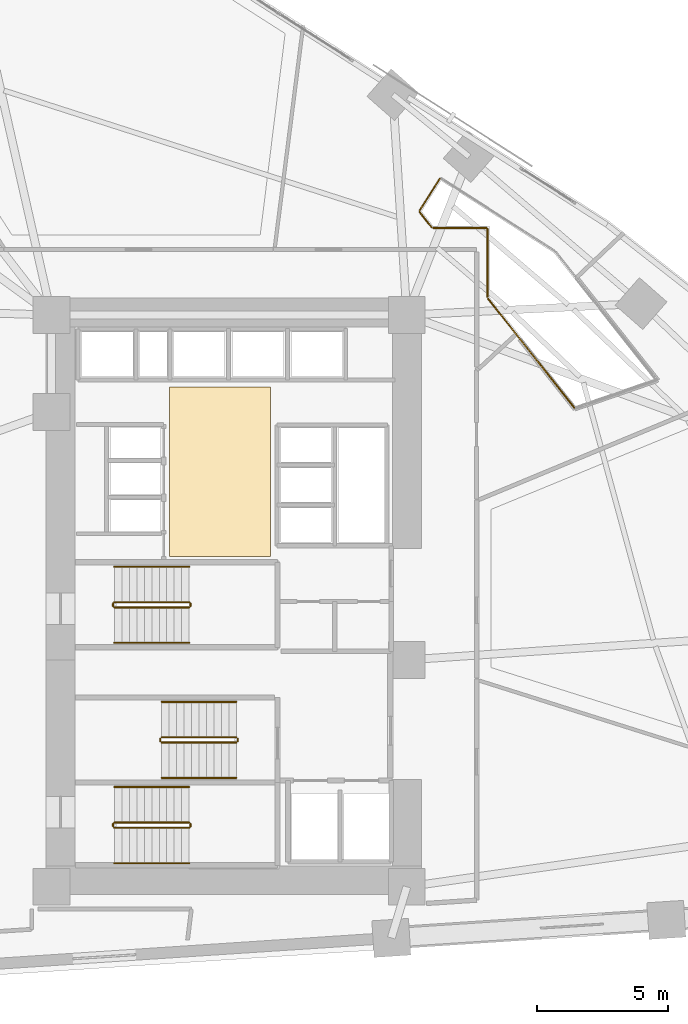
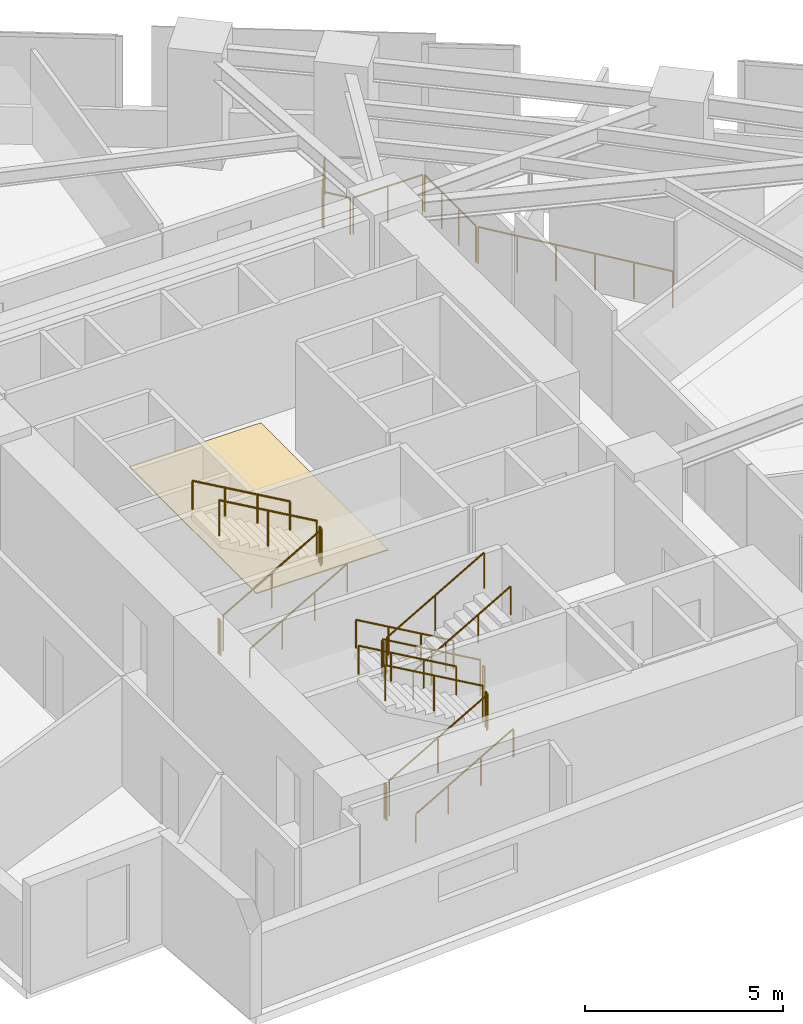
# One storey, part 15 of 16: 23 railings, 1 covering.
"""IFC4 building model written with IfcOpenShell, lengths in metres."""

import ifcopenshell
import ifcopenshell.guid

model = None  # the IFC model being written
_history = None  # IfcOwnerHistory: only IFC2X3 demands one
_inside = {}  # id of a spatial element -> (the spatial element, [elements in it])
_under = {}  # id of a project, library or spatial element -> (it, [spatial elements below it])
_declared = {}  # id of a project -> (the project, [libraries it declares])
_typed = {}  # id of a type object -> (the type object, [elements of that type])
_made_of = {}  # id of a material, layer set ... -> (it, [elements and type objects made of it])


def new_model(schema):
    """Start an empty IFC model of exactly this schema.

    Asked for "IFC4X3", IfcOpenShell would pick the latest addendum, in which some entities
    have other attributes; the version numbers below select the first issue.
    IFC2X3 requires an IfcOwnerHistory on every rooted entity: one is made here for all.
    """
    global model, _history
    if schema == "IFC4X3":
        model = ifcopenshell.file(schema_version=(4, 3, 0, 0))
    else:
        model = ifcopenshell.file(schema=schema)
    _inside.clear()
    _under.clear()
    _declared.clear()
    _typed.clear()
    _made_of.clear()
    _history = None
    if model.schema == "IFC2X3":
        org = make("IfcOrganization", Name="unknown")
        user = make(
            "IfcPersonAndOrganization",
            ThePerson=make("IfcPerson", FamilyName="unknown"),
            TheOrganization=org,
        )
        app = make(
            "IfcApplication",
            ApplicationDeveloper=org,
            Version="unknown",
            ApplicationFullName="unknown",
            ApplicationIdentifier="unknown",
        )
        _history = make(
            "IfcOwnerHistory",
            OwningUser=user,
            OwningApplication=app,
            ChangeAction="ADDED",
            CreationDate=0,
        )
    return model


def make(cls, **values):
    """One entity of the class cls with the attributes given. An attribute that is None is left unset."""
    return model.create_entity(
        cls, **{name: value for name, value in values.items() if value is not None}
    )


def rooted(cls, **values):
    """An entity with a GlobalId (a new one), such as an element, a storey or a relation."""
    return make(cls, GlobalId=ifcopenshell.guid.new(), OwnerHistory=_history, **values)


def si_unit(unit_type, name, prefix=None):
    """IfcSIUnit, for example si_unit("LENGTHUNIT", "METRE", prefix="MILLI")."""
    return make("IfcSIUnit", UnitType=unit_type, Prefix=prefix, Name=name)


def assignment(units):
    """IfcUnitAssignment: the units of a project."""
    return None if units is None else make("IfcUnitAssignment", Units=units)


def point(xyz):
    """IfcCartesianPoint."""
    return None if xyz is None else make("IfcCartesianPoint", Coordinates=xyz)


def direction(xyz):
    """IfcDirection."""
    return None if xyz is None else make("IfcDirection", DirectionRatios=xyz)


def frame(location, z_axis=None, x_axis=None):
    """IfcAxis2Placement3D, a coordinate frame: its origin and axes. An axis left out is left unset."""
    return make(
        "IfcAxis2Placement3D",
        Location=point(location),
        Axis=direction(z_axis),
        RefDirection=direction(x_axis),
    )


def frame_2d(location, x_axis=None):
    """IfcAxis2Placement2D, a coordinate frame in the plane: its origin and x axis."""
    return make(
        "IfcAxis2Placement2D", Location=point(location), RefDirection=direction(x_axis)
    )


def origin():
    """The frame at (0, 0, 0) with its axes left unset."""
    return frame((0.0, 0.0, 0.0))


def origin_2d():
    """The frame at (0, 0) in the plane with its x axis left unset."""
    return frame_2d((0.0, 0.0))


def place(relative_to, where):
    """IfcLocalPlacement: puts the frame where relative to a parent placement (None: the world)."""
    return make(
        "IfcLocalPlacement", PlacementRelTo=relative_to, RelativePlacement=where
    )


def context(
    kind, dimensions, precision=None, world=None, true_north=None, identifier=None
):
    """IfcGeometricRepresentationContext, for example the 3D "Model" context."""
    return make(
        "IfcGeometricRepresentationContext",
        ContextIdentifier=identifier,
        ContextType=kind,
        CoordinateSpaceDimension=dimensions,
        Precision=precision,
        WorldCoordinateSystem=world,
        TrueNorth=true_north,
    )


def subcontext(parent, identifier, kind, view, scale=None):
    """IfcGeometricRepresentationSubContext, for example "Body" below "Model"."""
    return make(
        "IfcGeometricRepresentationSubContext",
        ContextIdentifier=identifier,
        ContextType=kind,
        ParentContext=parent,
        TargetScale=scale,
        TargetView=view,
    )


def project(units=None, contexts=None):
    """IfcProject with its units and contexts."""
    return rooted(
        "IfcProject",
        Name="project",
        RepresentationContexts=contexts,
        UnitsInContext=assignment(units),
    )


def spatial(cls, under=None, at=None, **own):
    """A site, building, storey or space (cls), placed at a placement, below another one or the project."""
    s = rooted(cls, ObjectPlacement=at, **own)
    if under is not None:
        _under.setdefault(under.id(), (under, []))[1].append(s)
    return s


def polyline(points):
    """IfcPolyline through the points."""
    return make("IfcPolyline", Points=[point(p) for p in points])


def profile(cls, at=None, kind="AREA", **sizes):
    """A parametric profile (cls). Its sizes go by their IFC names, for example OverallWidth=200.0."""
    return make(cls, ProfileType=kind, Position=at, **sizes)


def circle(**sizes):
    """IfcCircleProfileDef."""
    return profile("IfcCircleProfileDef", **sizes)


def outline(outer, holes=None, kind="AREA"):
    """IfcArbitraryClosedProfileDef: a profile drawn as a closed curve; with holes, ...WithVoids."""
    if holes is None:
        return make("IfcArbitraryClosedProfileDef", ProfileType=kind, OuterCurve=outer)
    return make(
        "IfcArbitraryProfileDefWithVoids",
        ProfileType=kind,
        OuterCurve=outer,
        InnerCurves=holes,
    )


def extrude(swept, where, along, depth):
    """IfcExtrudedAreaSolid: the profile swept, set in the frame where, extruded along a direction by depth."""
    return make(
        "IfcExtrudedAreaSolid",
        SweptArea=swept,
        Position=where,
        ExtrudedDirection=direction(along),
        Depth=depth,
    )


def shape(context_of_items, identifier, shape_type, items):
    """IfcShapeRepresentation: the items that make up one representation, for example the "Body"."""
    return make(
        "IfcShapeRepresentation",
        ContextOfItems=context_of_items,
        RepresentationIdentifier=identifier,
        RepresentationType=shape_type,
        Items=items,
    )


def material(Name=None, Category=None):
    """IfcMaterial."""
    return make("IfcMaterial", Name=Name, Category=Category)


def layer(
    of_material, thickness, ventilated=None, Name=None, Category=None, Priority=None
):
    """IfcMaterialLayer: one layer of a wall or slab, of a material (None: an air gap)."""
    return make(
        "IfcMaterialLayer",
        Material=of_material,
        LayerThickness=thickness,
        IsVentilated=ventilated,
        Name=Name,
        Category=Category,
        Priority=Priority,
    )


def layer_set(layers, Name=None):
    """IfcMaterialLayerSet."""
    return make("IfcMaterialLayerSet", MaterialLayers=layers, LayerSetName=Name)


def made_of(thing, what):
    """Note that an element or type object is made of a material, layer set ...; save() writes the relation."""
    if what is not None:
        _made_of.setdefault(what.id(), (what, []))[1].append(thing)
    return thing


def type_object(cls, material=None, **own):
    """A type object (cls), such as IfcWallType, which elements share."""
    return made_of(rooted(cls, **own), material)


def element(
    cls,
    number,
    at=None,
    inside=None,
    cuts=None,
    type_object=None,
    material=None,
    context=None,
    identifier="Body",
    shape_type=None,
    held_by="IfcProductDefinitionShape",
    body=None,
    shapes=None,
    **own,
):
    """One element of the class cls, such as IfcWall. Its Tag is "e" and its number.

    at: its placement. inside: the storey or other place that contains it. cuts: it is an
    opening in that element (IfcRelVoidsElement). A single representation is given by context,
    identifier, shape_type and body (its items); several are given by shapes. held_by: the class
    of the entity that holds the representations. save() writes the other relations.
    """
    e = rooted(cls, Tag="e%d" % number, ObjectPlacement=at, **own)
    if body is not None:
        shapes = [shape(context, identifier, shape_type, body)]
    if shapes is not None:
        e.Representation = make(held_by, Representations=shapes)
    if inside is not None:
        _inside.setdefault(inside.id(), (inside, []))[1].append(e)
    if cuts is not None:
        rooted(
            "IfcRelVoidsElement", RelatingBuildingElement=cuts, RelatedOpeningElement=e
        )
    if type_object is not None:
        _typed.setdefault(type_object.id(), (type_object, []))[1].append(e)
    return made_of(e, material)


def aggregate(whole, parts):
    """IfcRelAggregates: a whole, such as a stair, and the parts it consists of."""
    return rooted("IfcRelAggregates", RelatingObject=whole, RelatedObjects=parts)


def save(model, path):
    """Write the relations noted so far, then the file.

    IfcRelAggregates (storeys below a building ...), IfcRelContainedInSpatialStructure (elements
    in a storey), IfcRelDefinesByType, IfcRelAssociatesMaterial and IfcRelDeclares: one each for
    every whole, place, type object, material and project.
    """
    for whole, parts in _under.values():
        aggregate(whole, parts)
    for where, things in _inside.values():
        rooted(
            "IfcRelContainedInSpatialStructure",
            RelatedElements=things,
            RelatingStructure=where,
        )
    for kind, things in _typed.values():
        rooted("IfcRelDefinesByType", RelatedObjects=things, RelatingType=kind)
    for what, things in _made_of.values():
        rooted("IfcRelAssociatesMaterial", RelatedObjects=things, RelatingMaterial=what)
    for by, libraries in _declared.values():
        rooted("IfcRelDeclares", RelatingContext=by, RelatedDefinitions=libraries)
    model.write(path)


model = new_model("IFC4")

# Units and contexts
model_context = context("Model", 3, precision=1e-05, world=origin(), true_north=direction((0.0, 1.0)))
body_context = subcontext(model_context, "Body", "Model", "MODEL_VIEW")
ifc_project = project(units=[si_unit("LENGTHUNIT", "METRE"), si_unit("AREAUNIT", "SQUARE_METRE"), si_unit("VOLUMEUNIT", "CUBIC_METRE"), si_unit("PLANEANGLEUNIT", "RADIAN"), si_unit("MASSUNIT", "GRAM", prefix="KILO")], contexts=[model_context])

# Site, building, storey
site_placement = place(None, origin())
site = spatial("IfcSite", under=ifc_project, at=site_placement, CompositionType="ELEMENT")
building_placement = place(site_placement, origin())
building = spatial("IfcBuilding", under=site, at=building_placement, Name="Narakoshi Arena Tower", CompositionType="ELEMENT")
storey_placement = place(building_placement, frame((0.0, 0.0, 77.699951171875)))
storey = spatial("IfcBuildingStorey", under=building, at=storey_placement, Name="L20", CompositionType="ELEMENT", Elevation=77.699951171875)

# Covering
ifc_material_1 = material(Name="Honed granite stone paving", Category="masonry")
ifc_layer = layer(ifc_material_1, 0.030029296875)
ifc_layer_set = layer_set([ifc_layer], Name="Honed granite stone paving")
covering_type = type_object("IfcCoveringType", Name="COV-FLR-ST30", PredefinedType="FLOORING", material=ifc_layer_set)
covering_placement = place(storey_placement, origin())
element("IfcCovering", 1, at=covering_placement, inside=storey, type_object=covering_type, Name="L20 Lift Lobby Granite Flooring", PredefinedType="FLOORING", context=body_context, shape_type="SweptSolid", body=[
    extrude(outline(polyline([(76.5, 47.300048828125), (80.35009765625, 47.300048828125), (80.35009765625, 53.75), (76.5, 53.75), (76.5, 47.300048828125)])), origin(), (0.0, 0.0, 1.0), 0.030029296875),
])

# Railings
ifc_material_2 = material(Name="Clear low-iron laminated structural glass", Category="glass")
railing_type_1 = type_object("IfcRailingType", Name="RL-BAL-1100", PredefinedType="BALUSTRADE", material=ifc_material_2)
railing_1_placement = place(storey_placement, frame((74.39990234375, 36.949951171875, 0.16357421875)))
element("IfcRailing", 2, at=railing_1_placement, inside=storey, type_object=railing_type_1, Name="L20 ST1 stair guard 1", PredefinedType="BALUSTRADE", context=body_context, shape_type="SweptSolid", body=[
    extrude(circle(Radius=0.02392578125, at=origin_2d()), frame((0.0, 0.0, 1.09619140625), z_axis=(0.86721270334, 0.0, 0.497937874806), x_axis=(0.0, 1.0, 0.0)), (0.0, 0.0, 1.0), 3.28662109375),
    extrude(circle(Radius=0.02099609375, at=origin_2d()), origin(), (0.0, 0.0, 1.0), 1.072021484375),
    extrude(circle(Radius=0.02099609375, at=origin_2d()), frame((1.425048828125, 0.0, 0.818359375)), (0.0, 0.0, 1.0), 1.072021484375),
    extrude(circle(Radius=0.02099609375, at=origin_2d()), frame((2.85009765625, 0.0, 1.636474609375)), (0.0, 0.0, 1.0), 1.072021484375),
])
railing_2_placement = place(storey_placement, frame((77.300048828125, 37.0, 1.800048828125)))
element("IfcRailing", 3, at=railing_2_placement, inside=storey, type_object=railing_type_1, Name="L20 ST1 stair guard 2", PredefinedType="BALUSTRADE", context=body_context, shape_type="SweptSolid", body=[
    extrude(circle(Radius=0.02392578125, at=origin_2d()), frame((0.0, 0.0, 1.09619140625), z_axis=(0.0, 1.0, 0.0), x_axis=(-1.0, 0.0, 0.0)), (0.0, 0.0, 1.0), 0.10009765625),
    extrude(circle(Radius=0.02099609375, at=origin_2d()), origin(), (0.0, 0.0, 1.0), 1.072021484375),
    extrude(circle(Radius=0.02099609375, at=origin_2d()), frame((0.0, 0.10009765625, 0.0)), (0.0, 0.0, 1.0), 1.072021484375),
])
railing_3_placement = place(storey_placement, frame((77.25, 37.14990234375, 1.963623046875)))
element("IfcRailing", 4, at=railing_3_placement, inside=storey, type_object=railing_type_1, Name="L20 ST1 stair guard 3", PredefinedType="BALUSTRADE", context=body_context, shape_type="SweptSolid", body=[
    extrude(circle(Radius=0.02392578125, at=origin_2d()), frame((0.0, 0.0, 1.09619140625), z_axis=(-0.86721270334, 0.0, 0.497937874806), x_axis=(0.0, -1.0, 0.0)), (0.0, 0.0, 1.0), 3.28662109375),
    extrude(circle(Radius=0.02099609375, at=origin_2d()), origin(), (0.0, 0.0, 1.0), 1.072021484375),
    extrude(circle(Radius=0.02099609375, at=origin_2d()), frame((-1.425048828125, 0.0, 0.818359375)), (0.0, 0.0, 1.0), 1.072021484375),
    extrude(circle(Radius=0.02099609375, at=origin_2d()), frame((-2.85009765625, 0.0, 1.636474609375)), (0.0, 0.0, 1.0), 1.072021484375),
])
railing_4_placement = place(storey_placement, frame((74.35009765625, 37.0, 0.0)))
element("IfcRailing", 5, at=railing_4_placement, inside=storey, type_object=railing_type_1, Name="L20 ST1 stair guard 4", PredefinedType="BALUSTRADE", context=body_context, shape_type="SweptSolid", body=[
    extrude(circle(Radius=0.02392578125, at=origin_2d()), frame((0.0, 0.0, 1.09619140625), z_axis=(0.0, 1.0, 0.0), x_axis=(-1.0, 0.0, 0.0)), (0.0, 0.0, 1.0), 0.10009765625),
    extrude(circle(Radius=0.02099609375, at=origin_2d()), origin(), (0.0, 0.0, 1.0), 1.072021484375),
    extrude(circle(Radius=0.02099609375, at=origin_2d()), frame((0.0, 0.10009765625, 0.0)), (0.0, 0.0, 1.0), 1.072021484375),
])
railing_5_placement = place(storey_placement, frame((79.050048828125, 40.39990234375, 0.16357421875)))
element("IfcRailing", 6, at=railing_5_placement, inside=storey, type_object=railing_type_1, Name="L20 ST2 stair guard 1", PredefinedType="BALUSTRADE", context=body_context, shape_type="SweptSolid", body=[
    extrude(circle(Radius=0.02392578125, at=origin_2d()), frame((0.0, 0.0, 1.09619140625), z_axis=(-0.86721270334, 0.0, 0.497937874806), x_axis=(0.0, -1.0, 0.0)), (0.0, 0.0, 1.0), 3.28662109375),
    extrude(circle(Radius=0.02099609375, at=origin_2d()), origin(), (0.0, 0.0, 1.0), 1.072021484375),
    extrude(circle(Radius=0.02099609375, at=origin_2d()), frame((-1.425048828125, 0.0, 0.818359375)), (0.0, 0.0, 1.0), 1.072021484375),
    extrude(circle(Radius=0.02099609375, at=origin_2d()), frame((-2.85009765625, 0.0, 1.636474609375)), (0.0, 0.0, 1.0), 1.072021484375),
])
railing_6_placement = place(storey_placement, frame((76.14990234375, 40.35009765625, 1.800048828125)))
element("IfcRailing", 7, at=railing_6_placement, inside=storey, type_object=railing_type_1, Name="L20 ST2 stair guard 2", PredefinedType="BALUSTRADE", context=body_context, shape_type="SweptSolid", body=[
    extrude(circle(Radius=0.02392578125, at=origin_2d()), frame((0.0, 0.0, 1.09619140625), z_axis=(0.0, -1.0, 0.0), x_axis=(1.0, 0.0, 0.0)), (0.0, 0.0, 1.0), 0.10009765625),
    extrude(circle(Radius=0.02099609375, at=origin_2d()), origin(), (0.0, 0.0, 1.0), 1.072021484375),
    extrude(circle(Radius=0.02099609375, at=origin_2d()), frame((0.0, -0.10009765625, 0.0)), (0.0, 0.0, 1.0), 1.072021484375),
])
railing_7_placement = place(storey_placement, frame((76.199951171875, 40.199951171875, 1.963623046875)))
element("IfcRailing", 8, at=railing_7_placement, inside=storey, type_object=railing_type_1, Name="L20 ST2 stair guard 3", PredefinedType="BALUSTRADE", context=body_context, shape_type="SweptSolid", body=[
    extrude(circle(Radius=0.02392578125, at=origin_2d()), frame((0.0, 0.0, 1.09619140625), z_axis=(0.86721270334, 0.0, 0.497937874806), x_axis=(0.0, 1.0, 0.0)), (0.0, 0.0, 1.0), 3.28662109375),
    extrude(circle(Radius=0.02099609375, at=origin_2d()), origin(), (0.0, 0.0, 1.0), 1.072021484375),
    extrude(circle(Radius=0.02099609375, at=origin_2d()), frame((1.425048828125, 0.0, 0.818359375)), (0.0, 0.0, 1.0), 1.072021484375),
    extrude(circle(Radius=0.02099609375, at=origin_2d()), frame((2.85009765625, 0.0, 1.636474609375)), (0.0, 0.0, 1.0), 1.072021484375),
])
railing_8_placement = place(storey_placement, frame((79.10009765625, 40.35009765625, 0.0)))
element("IfcRailing", 9, at=railing_8_placement, inside=storey, type_object=railing_type_1, Name="L20 ST2 stair guard 4", PredefinedType="BALUSTRADE", context=body_context, shape_type="SweptSolid", body=[
    extrude(circle(Radius=0.02392578125, at=origin_2d()), frame((0.0, 0.0, 1.09619140625), z_axis=(0.0, -1.0, 0.0), x_axis=(1.0, 0.0, 0.0)), (0.0, 0.0, 1.0), 0.10009765625),
    extrude(circle(Radius=0.02099609375, at=origin_2d()), origin(), (0.0, 0.0, 1.0), 1.072021484375),
    extrude(circle(Radius=0.02099609375, at=origin_2d()), frame((0.0, -0.10009765625, 0.0)), (0.0, 0.0, 1.0), 1.072021484375),
])
railing_9_placement = place(storey_placement, frame((74.39990234375, 45.35009765625, 0.16357421875)))
element("IfcRailing", 10, at=railing_9_placement, inside=storey, type_object=railing_type_1, Name="L20 ST3 stair guard 1", PredefinedType="BALUSTRADE", context=body_context, shape_type="SweptSolid", body=[
    extrude(circle(Radius=0.02392578125, at=origin_2d()), frame((0.0, 0.0, 1.09619140625), z_axis=(0.86721270334, 0.0, 0.497937874806), x_axis=(0.0, 1.0, 0.0)), (0.0, 0.0, 1.0), 3.28662109375),
    extrude(circle(Radius=0.02099609375, at=origin_2d()), origin(), (0.0, 0.0, 1.0), 1.072021484375),
    extrude(circle(Radius=0.02099609375, at=origin_2d()), frame((1.425048828125, 0.0, 0.818359375)), (0.0, 0.0, 1.0), 1.072021484375),
    extrude(circle(Radius=0.02099609375, at=origin_2d()), frame((2.85009765625, 0.0, 1.636474609375)), (0.0, 0.0, 1.0), 1.072021484375),
])
railing_10_placement = place(storey_placement, frame((77.300048828125, 45.39990234375, 1.800048828125)))
element("IfcRailing", 11, at=railing_10_placement, inside=storey, type_object=railing_type_1, Name="L20 ST3 stair guard 2", PredefinedType="BALUSTRADE", context=body_context, shape_type="SweptSolid", body=[
    extrude(circle(Radius=0.02392578125, at=origin_2d()), frame((0.0, 0.0, 1.09619140625), z_axis=(0.0, 1.0, 0.0), x_axis=(-1.0, 0.0, 0.0)), (0.0, 0.0, 1.0), 0.10009765625),
    extrude(circle(Radius=0.02099609375, at=origin_2d()), origin(), (0.0, 0.0, 1.0), 1.072021484375),
    extrude(circle(Radius=0.02099609375, at=origin_2d()), frame((0.0, 0.10009765625, 0.0)), (0.0, 0.0, 1.0), 1.072021484375),
])
railing_11_placement = place(storey_placement, frame((77.25, 45.550048828125, 1.963623046875)))
element("IfcRailing", 12, at=railing_11_placement, inside=storey, type_object=railing_type_1, Name="L20 ST3 stair guard 3", PredefinedType="BALUSTRADE", context=body_context, shape_type="SweptSolid", body=[
    extrude(circle(Radius=0.02392578125, at=origin_2d()), frame((0.0, 0.0, 1.09619140625), z_axis=(-0.86721270334, 0.0, 0.497937874806), x_axis=(0.0, -1.0, 0.0)), (0.0, 0.0, 1.0), 3.28662109375),
    extrude(circle(Radius=0.02099609375, at=origin_2d()), origin(), (0.0, 0.0, 1.0), 1.072021484375),
    extrude(circle(Radius=0.02099609375, at=origin_2d()), frame((-1.425048828125, 0.0, 0.818359375)), (0.0, 0.0, 1.0), 1.072021484375),
    extrude(circle(Radius=0.02099609375, at=origin_2d()), frame((-2.85009765625, 0.0, 1.636474609375)), (0.0, 0.0, 1.0), 1.072021484375),
])
railing_12_placement = place(storey_placement, frame((74.35009765625, 45.39990234375, 0.0)))
element("IfcRailing", 13, at=railing_12_placement, inside=storey, type_object=railing_type_1, Name="L20 ST3 stair guard 4", PredefinedType="BALUSTRADE", context=body_context, shape_type="SweptSolid", body=[
    extrude(circle(Radius=0.02392578125, at=origin_2d()), frame((0.0, 0.0, 1.09619140625), z_axis=(0.0, 1.0, 0.0), x_axis=(-1.0, 0.0, 0.0)), (0.0, 0.0, 1.0), 0.10009765625),
    extrude(circle(Radius=0.02099609375, at=origin_2d()), origin(), (0.0, 0.0, 1.0), 1.072021484375),
    extrude(circle(Radius=0.02099609375, at=origin_2d()), frame((0.0, 0.10009765625, 0.0)), (0.0, 0.0, 1.0), 1.072021484375),
])
ifc_material_3 = material(Name="Brushed bronze stainless steel", Category="steel")
railing_type_2 = type_object("IfcRailingType", Name="RL-GRD-1150", PredefinedType="GUARDRAIL", material=ifc_material_3)
railing_13_placement = place(storey_placement, frame((91.93212890625, 52.966064453125, 0.0)))
element("IfcRailing", 14, at=railing_13_placement, inside=storey, type_object=railing_type_2, Name="L20 Sky-Garden Atrium Void Guardrail 1", PredefinedType="GUARDRAIL", context=body_context, shape_type="SweptSolid", body=[
    extrude(circle(Radius=0.02392578125, at=origin_2d()), frame((0.0, 0.0, 1.1259765625), z_axis=(-0.620443259302, 0.784251338531, 0.0), x_axis=(-0.784251338531, -0.620443259302, 0.0)), (0.0, 0.0, 1.0), 5.29833984375),
    extrude(circle(Radius=0.02099609375, at=origin_2d()), origin(), (0.0, 0.0, 1.0), 1.101806640625),
    extrude(circle(Radius=0.02099609375, at=origin_2d()), frame((-0.657470703125, 0.8310546875, 0.0)), (0.0, 0.0, 1.0), 1.101806640625),
    extrude(circle(Radius=0.02099609375, at=origin_2d()), frame((-1.31494140625, 1.662109375, 0.0)), (0.0, 0.0, 1.0), 1.101806640625),
    extrude(circle(Radius=0.02099609375, at=origin_2d()), frame((-1.972412109375, 2.4931640625, 0.0)), (0.0, 0.0, 1.0), 1.101806640625),
    extrude(circle(Radius=0.02099609375, at=origin_2d()), frame((-2.6298828125, 3.32421875, 0.0)), (0.0, 0.0, 1.0), 1.101806640625),
    extrude(circle(Radius=0.02099609375, at=origin_2d()), frame((-3.287353515625, 4.1552734375, 0.0)), (0.0, 0.0, 1.0), 1.101806640625),
])
railing_14_placement = place(storey_placement, frame((88.6201171875, 57.19287109375, 0.0)))
element("IfcRailing", 15, at=railing_14_placement, inside=storey, type_object=railing_type_2, Name="L20 Sky-Garden Atrium Void Guardrail 2", PredefinedType="GUARDRAIL", context=body_context, shape_type="SweptSolid", body=[
    extrude(circle(Radius=0.02392578125, at=origin_2d()), frame((0.0, 0.0, 1.1259765625), z_axis=(0.0, 1.0, 0.0), x_axis=(-1.0, 0.0, 0.0)), (0.0, 0.0, 1.0), 2.587158203125),
    extrude(circle(Radius=0.02099609375, at=origin_2d()), origin(), (0.0, 0.0, 1.0), 1.101806640625),
    extrude(circle(Radius=0.02099609375, at=origin_2d()), frame((0.0, 0.8623046875, 0.0)), (0.0, 0.0, 1.0), 1.101806640625),
    extrude(circle(Radius=0.02099609375, at=origin_2d()), frame((0.0, 1.724853515625, 0.0)), (0.0, 0.0, 1.0), 1.101806640625),
    extrude(circle(Radius=0.02099609375, at=origin_2d()), frame((0.0, 2.587158203125, 0.0)), (0.0, 0.0, 1.0), 1.101806640625),
])
railing_15_placement = place(storey_placement, frame((88.580078125, 59.820068359375, 0.0)))
element("IfcRailing", 16, at=railing_15_placement, inside=storey, type_object=railing_type_2, Name="L20 Sky-Garden Atrium Void Guardrail 3", PredefinedType="GUARDRAIL", context=body_context, shape_type="SweptSolid", body=[
    extrude(circle(Radius=0.02392578125, at=origin_2d()), frame((0.0, 0.0, 1.1259765625), z_axis=(-1.0, 0.0, 0.0), x_axis=(0.0, -1.0, 0.0)), (0.0, 0.0, 1.0), 2.030029296875),
    extrude(circle(Radius=0.02099609375, at=origin_2d()), origin(), (0.0, 0.0, 1.0), 1.101806640625),
    extrude(circle(Radius=0.02099609375, at=origin_2d()), frame((-1.01513671875, 0.0, 0.0)), (0.0, 0.0, 1.0), 1.101806640625),
    extrude(circle(Radius=0.02099609375, at=origin_2d()), frame((-2.030029296875, 0.0, 0.0)), (0.0, 0.0, 1.0), 1.101806640625),
])
railing_16_placement = place(storey_placement, frame((86.4853515625, 59.851318359375, 0.0)))
element("IfcRailing", 17, at=railing_16_placement, inside=storey, type_object=railing_type_2, Name="L20 Sky-Garden Atrium Void Guardrail 4", PredefinedType="GUARDRAIL", context=body_context, shape_type="SweptSolid", body=[
    extrude(circle(Radius=0.02392578125, at=origin_2d()), frame((0.0, 0.0, 1.1259765625), z_axis=(-0.620502843677, 0.784204195977, 0.0), x_axis=(-0.784204195977, -0.620502843677, 0.0)), (0.0, 0.0, 1.0), 0.71875),
    extrude(circle(Radius=0.02099609375, at=origin_2d()), origin(), (0.0, 0.0, 1.0), 1.101806640625),
    extrude(circle(Radius=0.02099609375, at=origin_2d()), frame((-0.446044921875, 0.563720703125, 0.0)), (0.0, 0.0, 1.0), 1.101806640625),
])
railing_17_placement = place(storey_placement, frame((86.035888671875, 60.480224609375, 0.0)))
element("IfcRailing", 18, at=railing_17_placement, inside=storey, type_object=railing_type_2, Name="L20 Sky-Garden Atrium Void Guardrail 5", PredefinedType="GUARDRAIL", context=body_context, shape_type="SweptSolid", body=[
    extrude(circle(Radius=0.02392578125, at=origin_2d()), frame((0.0, 0.0, 1.1259765625), z_axis=(0.535757095837, 0.844372153887, 0.0), x_axis=(-0.844372153887, 0.535757095837, 0.0)), (0.0, 0.0, 1.0), 1.44140625),
    extrude(circle(Radius=0.02099609375, at=origin_2d()), origin(), (0.0, 0.0, 1.0), 1.101806640625),
    extrude(circle(Radius=0.02099609375, at=origin_2d()), frame((0.38623046875, 0.6083984375, 0.0)), (0.0, 0.0, 1.0), 1.101806640625),
    extrude(circle(Radius=0.02099609375, at=origin_2d()), frame((0.772216796875, 1.217041015625, 0.0)), (0.0, 0.0, 1.0), 1.101806640625),
])
railing_type_3 = type_object("IfcRailingType", Name="RL-HND-900", PredefinedType="HANDRAIL", material=ifc_material_3)
railing_18_placement = place(storey_placement, frame((74.39990234375, 35.60009765625, 0.16357421875)))
element("IfcRailing", 19, at=railing_18_placement, inside=storey, type_object=railing_type_3, Name="L20 ST1 stair handrail 1", PredefinedType="HANDRAIL", context=body_context, shape_type="SweptSolid", body=[
    extrude(circle(Radius=0.02392578125, at=origin_2d()), frame((0.0, 0.0, 0.8759765625), z_axis=(0.86721270334, 0.0, 0.497937874806), x_axis=(0.0, 1.0, 0.0)), (0.0, 0.0, 1.0), 3.28662109375),
    extrude(circle(Radius=0.02099609375, at=origin_2d()), origin(), (0.0, 0.0, 1.0), 0.851806640625),
    extrude(circle(Radius=0.02099609375, at=origin_2d()), frame((0.949951171875, 0.0, 0.54541015625)), (0.0, 0.0, 1.0), 0.851806640625),
    extrude(circle(Radius=0.02099609375, at=origin_2d()), frame((1.900146484375, 0.0, 1.091064453125)), (0.0, 0.0, 1.0), 0.851806640625),
    extrude(circle(Radius=0.02099609375, at=origin_2d()), frame((2.85009765625, 0.0, 1.636474609375)), (0.0, 0.0, 1.0), 0.851806640625),
])
for number, where, name in (
    (20, (77.25, 38.5, 1.963623046875), "L20 ST1 stair handrail 2"),
    (21, (79.050048828125, 41.75, 0.16357421875), "L20 ST2 stair handrail 1"),
):
    element("IfcRailing", number, at=place(storey_placement, frame(where)), inside=storey, type_object=railing_type_3, Name=name, PredefinedType="HANDRAIL", context=body_context, shape_type="SweptSolid", body=[
        extrude(circle(Radius=0.02392578125, at=origin_2d()), frame((0.0, 0.0, 0.8759765625), z_axis=(-0.86721270334, 0.0, 0.497937874806), x_axis=(0.0, -1.0, 0.0)), (0.0, 0.0, 1.0), 3.28662109375),
        extrude(circle(Radius=0.02099609375, at=origin_2d()), origin(), (0.0, 0.0, 1.0), 0.851806640625),
        extrude(circle(Radius=0.02099609375, at=origin_2d()), frame((-0.949951171875, 0.0, 0.54541015625)), (0.0, 0.0, 1.0), 0.851806640625),
        extrude(circle(Radius=0.02099609375, at=origin_2d()), frame((-1.900146484375, 0.0, 1.091064453125)), (0.0, 0.0, 1.0), 0.851806640625),
        extrude(circle(Radius=0.02099609375, at=origin_2d()), frame((-2.85009765625, 0.0, 1.636474609375)), (0.0, 0.0, 1.0), 0.851806640625),
    ])
for number, where, name in (
    (22, (76.199951171875, 38.85009765625, 1.963623046875), "L20 ST2 stair handrail 2"),
    (23, (74.39990234375, 44.0, 0.16357421875), "L20 ST3 stair handrail 1"),
):
    element("IfcRailing", number, at=place(storey_placement, frame(where)), inside=storey, type_object=railing_type_3, Name=name, PredefinedType="HANDRAIL", context=body_context, shape_type="SweptSolid", body=[
        extrude(circle(Radius=0.02392578125, at=origin_2d()), frame((0.0, 0.0, 0.8759765625), z_axis=(0.86721270334, 0.0, 0.497937874806), x_axis=(0.0, 1.0, 0.0)), (0.0, 0.0, 1.0), 3.28662109375),
        extrude(circle(Radius=0.02099609375, at=origin_2d()), origin(), (0.0, 0.0, 1.0), 0.851806640625),
        extrude(circle(Radius=0.02099609375, at=origin_2d()), frame((0.949951171875, 0.0, 0.54541015625)), (0.0, 0.0, 1.0), 0.851806640625),
        extrude(circle(Radius=0.02099609375, at=origin_2d()), frame((1.900146484375, 0.0, 1.091064453125)), (0.0, 0.0, 1.0), 0.851806640625),
        extrude(circle(Radius=0.02099609375, at=origin_2d()), frame((2.85009765625, 0.0, 1.636474609375)), (0.0, 0.0, 1.0), 0.851806640625),
    ])
railing_19_placement = place(storey_placement, frame((77.25, 46.89990234375, 1.963623046875)))
element("IfcRailing", 24, at=railing_19_placement, inside=storey, type_object=railing_type_3, Name="L20 ST3 stair handrail 2", PredefinedType="HANDRAIL", context=body_context, shape_type="SweptSolid", body=[
    extrude(circle(Radius=0.02392578125, at=origin_2d()), frame((0.0, 0.0, 0.8759765625), z_axis=(-0.86721270334, 0.0, 0.497937874806), x_axis=(0.0, -1.0, 0.0)), (0.0, 0.0, 1.0), 3.28662109375),
    extrude(circle(Radius=0.02099609375, at=origin_2d()), origin(), (0.0, 0.0, 1.0), 0.851806640625),
    extrude(circle(Radius=0.02099609375, at=origin_2d()), frame((-0.949951171875, 0.0, 0.54541015625)), (0.0, 0.0, 1.0), 0.851806640625),
    extrude(circle(Radius=0.02099609375, at=origin_2d()), frame((-1.900146484375, 0.0, 1.091064453125)), (0.0, 0.0, 1.0), 0.851806640625),
    extrude(circle(Radius=0.02099609375, at=origin_2d()), frame((-2.85009765625, 0.0, 1.636474609375)), (0.0, 0.0, 1.0), 0.851806640625),
])

save(model, "model.ifc")
